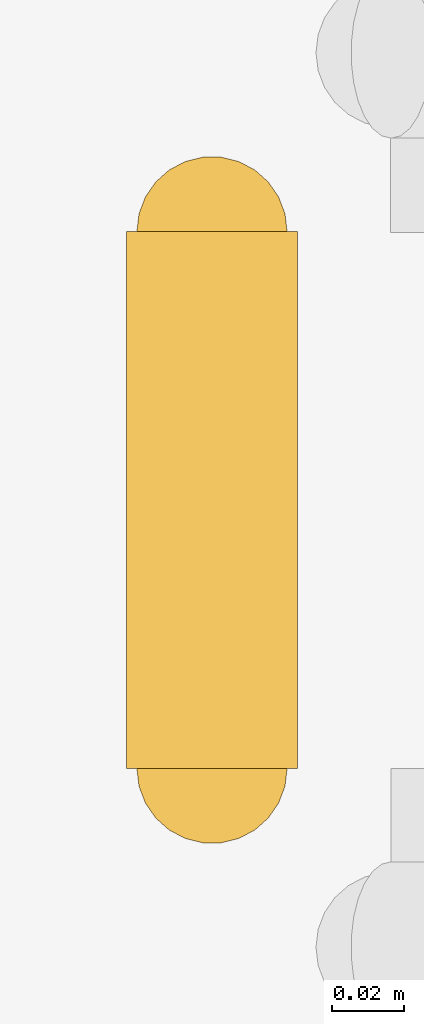
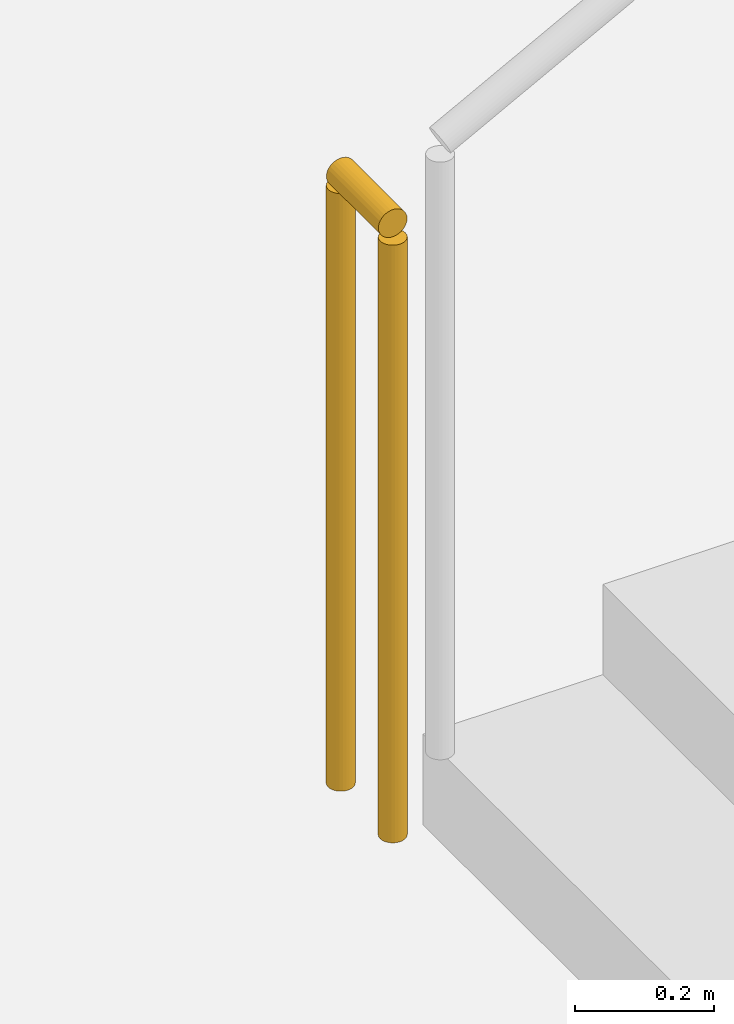
# One storey, part 86 of 89: 1 railing.
"""IFC4 building model written with IfcOpenShell, lengths in metres."""

from ifc_helpers import new_model, si_unit, direction, frame, origin, origin_2d, place, context, subcontext, project, spatial, circle, extrude, material, type_object, element, save


model = new_model("IFC4")

# Units and contexts
model_context = context("Model", 3, precision=1e-05, world=origin(), true_north=direction((0.0, 1.0)))
body_context = subcontext(model_context, "Body", "Model", "MODEL_VIEW")
ifc_project = project(units=[si_unit("LENGTHUNIT", "METRE"), si_unit("AREAUNIT", "SQUARE_METRE"), si_unit("VOLUMEUNIT", "CUBIC_METRE"), si_unit("PLANEANGLEUNIT", "RADIAN"), si_unit("MASSUNIT", "GRAM", prefix="KILO")], contexts=[model_context])

# Site, building, storey
site_placement = place(None, origin())
site = spatial("IfcSite", under=ifc_project, at=site_placement, CompositionType="ELEMENT")
building_placement = place(site_placement, origin())
building = spatial("IfcBuilding", under=site, at=building_placement, Name="Koshinbarg Plaza Stadium", CompositionType="ELEMENT")
storey_placement = place(building_placement, origin())
storey = spatial("IfcBuildingStorey", under=building, at=storey_placement, Name="L00", CompositionType="ELEMENT", Elevation=0.0)

# Railing
ifc_material = material(Name="Galvanized painted steel guardrail", Category="steel")
railing_type = type_object("IfcRailingType", Name="RL-GUARD-1100", PredefinedType="GUARDRAIL", material=ifc_material)
railing_placement = place(storey_placement, frame((175.31005859375, 139.360107421875, 0.0)))
element("IfcRailing", 1, at=railing_placement, inside=storey, type_object=railing_type, Name="L00 C12 stair guard 4", PredefinedType="GUARDRAIL", context=body_context, shape_type="SweptSolid", body=[
    extrude(circle(Radius=0.02392578125, at=origin_2d()), frame((0.0, 0.0, 1.076171875), z_axis=(0.0, 1.0, 0.0), x_axis=(-1.0, 0.0, 0.0)), (0.0, 0.0, 1.0), 0.14990234375),
    extrude(circle(Radius=0.02099609375, at=origin_2d()), origin(), (0.0, 0.0, 1.0), 1.052001953125),
    extrude(circle(Radius=0.02099609375, at=origin_2d()), frame((0.0, 0.14990234375, 0.0)), (0.0, 0.0, 1.0), 1.052001953125),
])

save(model, "model.ifc")
